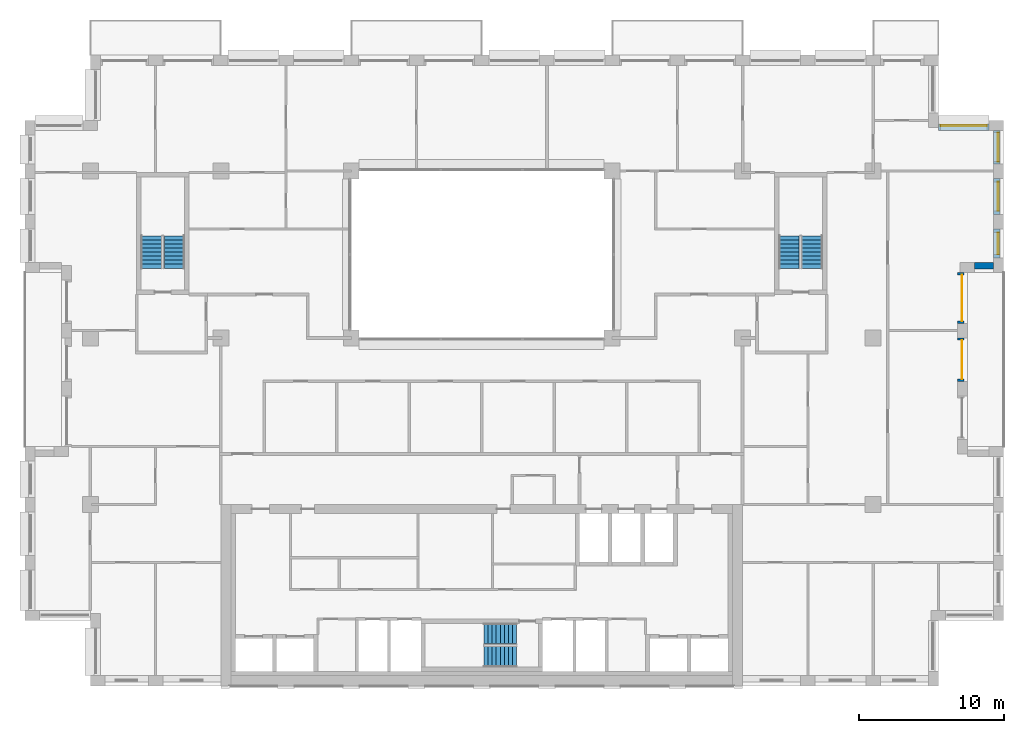
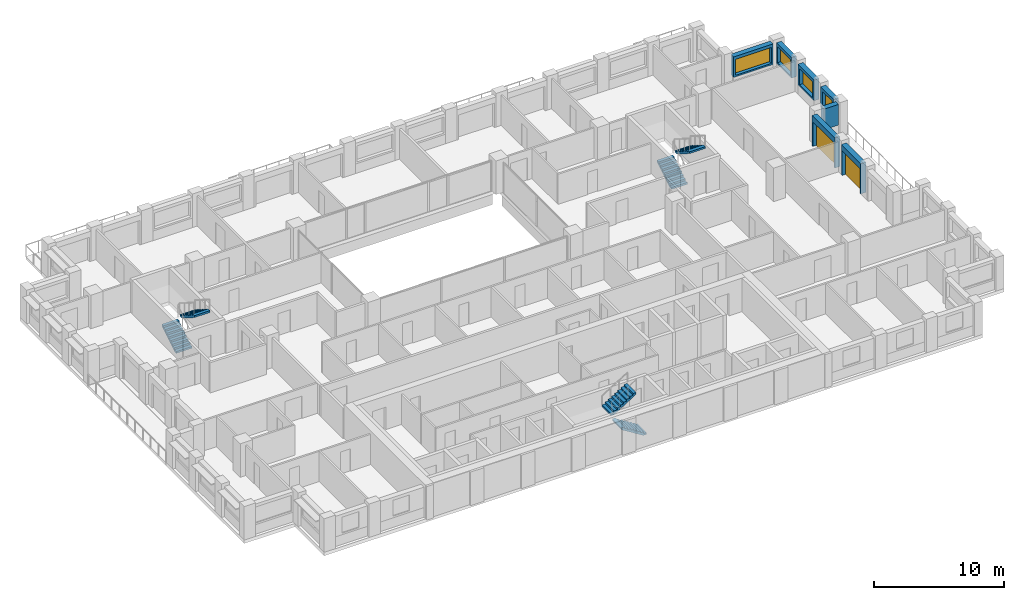
# One storey, part 14 of 15: 7 walls, 6 stair flights, 4 windows, 2 doors, 6 openings, 3 elements without a shape of their own.
"""IFC4 building model written with IfcOpenShell, lengths in metres."""

import ifcopenshell
import ifcopenshell.guid

model = None  # the IFC model being written
_history = None  # IfcOwnerHistory: only IFC2X3 demands one
_inside = {}  # id of a spatial element -> (the spatial element, [elements in it])
_under = {}  # id of a project, library or spatial element -> (it, [spatial elements below it])
_declared = {}  # id of a project -> (the project, [libraries it declares])
_typed = {}  # id of a type object -> (the type object, [elements of that type])
_made_of = {}  # id of a material, layer set ... -> (it, [elements and type objects made of it])


def new_model(schema):
    """Start an empty IFC model of exactly this schema.

    Asked for "IFC4X3", IfcOpenShell would pick the latest addendum, in which some entities
    have other attributes; the version numbers below select the first issue.
    IFC2X3 requires an IfcOwnerHistory on every rooted entity: one is made here for all.
    """
    global model, _history
    if schema == "IFC4X3":
        model = ifcopenshell.file(schema_version=(4, 3, 0, 0))
    else:
        model = ifcopenshell.file(schema=schema)
    _inside.clear()
    _under.clear()
    _declared.clear()
    _typed.clear()
    _made_of.clear()
    _history = None
    if model.schema == "IFC2X3":
        org = make("IfcOrganization", Name="unknown")
        user = make(
            "IfcPersonAndOrganization",
            ThePerson=make("IfcPerson", FamilyName="unknown"),
            TheOrganization=org,
        )
        app = make(
            "IfcApplication",
            ApplicationDeveloper=org,
            Version="unknown",
            ApplicationFullName="unknown",
            ApplicationIdentifier="unknown",
        )
        _history = make(
            "IfcOwnerHistory",
            OwningUser=user,
            OwningApplication=app,
            ChangeAction="ADDED",
            CreationDate=0,
        )
    return model


def make(cls, **values):
    """One entity of the class cls with the attributes given. An attribute that is None is left unset."""
    return model.create_entity(
        cls, **{name: value for name, value in values.items() if value is not None}
    )


def rooted(cls, **values):
    """An entity with a GlobalId (a new one), such as an element, a storey or a relation."""
    return make(cls, GlobalId=ifcopenshell.guid.new(), OwnerHistory=_history, **values)


def si_unit(unit_type, name, prefix=None):
    """IfcSIUnit, for example si_unit("LENGTHUNIT", "METRE", prefix="MILLI")."""
    return make("IfcSIUnit", UnitType=unit_type, Prefix=prefix, Name=name)


def assignment(units):
    """IfcUnitAssignment: the units of a project."""
    return None if units is None else make("IfcUnitAssignment", Units=units)


def point(xyz):
    """IfcCartesianPoint."""
    return None if xyz is None else make("IfcCartesianPoint", Coordinates=xyz)


def direction(xyz):
    """IfcDirection."""
    return None if xyz is None else make("IfcDirection", DirectionRatios=xyz)


def frame(location, z_axis=None, x_axis=None):
    """IfcAxis2Placement3D, a coordinate frame: its origin and axes. An axis left out is left unset."""
    return make(
        "IfcAxis2Placement3D",
        Location=point(location),
        Axis=direction(z_axis),
        RefDirection=direction(x_axis),
    )


def frame_2d(location, x_axis=None):
    """IfcAxis2Placement2D, a coordinate frame in the plane: its origin and x axis."""
    return make(
        "IfcAxis2Placement2D", Location=point(location), RefDirection=direction(x_axis)
    )


def origin():
    """The frame at (0, 0, 0) with its axes left unset."""
    return frame((0.0, 0.0, 0.0))


def place(relative_to, where):
    """IfcLocalPlacement: puts the frame where relative to a parent placement (None: the world)."""
    return make(
        "IfcLocalPlacement", PlacementRelTo=relative_to, RelativePlacement=where
    )


def context(
    kind, dimensions, precision=None, world=None, true_north=None, identifier=None
):
    """IfcGeometricRepresentationContext, for example the 3D "Model" context."""
    return make(
        "IfcGeometricRepresentationContext",
        ContextIdentifier=identifier,
        ContextType=kind,
        CoordinateSpaceDimension=dimensions,
        Precision=precision,
        WorldCoordinateSystem=world,
        TrueNorth=true_north,
    )


def subcontext(parent, identifier, kind, view, scale=None):
    """IfcGeometricRepresentationSubContext, for example "Body" below "Model"."""
    return make(
        "IfcGeometricRepresentationSubContext",
        ContextIdentifier=identifier,
        ContextType=kind,
        ParentContext=parent,
        TargetScale=scale,
        TargetView=view,
    )


def project(units=None, contexts=None):
    """IfcProject with its units and contexts."""
    return rooted(
        "IfcProject",
        Name="project",
        RepresentationContexts=contexts,
        UnitsInContext=assignment(units),
    )


def spatial(cls, under=None, at=None, **own):
    """A site, building, storey or space (cls), placed at a placement, below another one or the project."""
    s = rooted(cls, ObjectPlacement=at, **own)
    if under is not None:
        _under.setdefault(under.id(), (under, []))[1].append(s)
    return s


def polyline(points):
    """IfcPolyline through the points."""
    return make("IfcPolyline", Points=[point(p) for p in points])


def profile(cls, at=None, kind="AREA", **sizes):
    """A parametric profile (cls). Its sizes go by their IFC names, for example OverallWidth=200.0."""
    return make(cls, ProfileType=kind, Position=at, **sizes)


def rectangle(**sizes):
    """IfcRectangleProfileDef."""
    return profile("IfcRectangleProfileDef", **sizes)


def outline(outer, holes=None, kind="AREA"):
    """IfcArbitraryClosedProfileDef: a profile drawn as a closed curve; with holes, ...WithVoids."""
    if holes is None:
        return make("IfcArbitraryClosedProfileDef", ProfileType=kind, OuterCurve=outer)
    return make(
        "IfcArbitraryProfileDefWithVoids",
        ProfileType=kind,
        OuterCurve=outer,
        InnerCurves=holes,
    )


def extrude(swept, where, along, depth):
    """IfcExtrudedAreaSolid: the profile swept, set in the frame where, extruded along a direction by depth."""
    return make(
        "IfcExtrudedAreaSolid",
        SweptArea=swept,
        Position=where,
        ExtrudedDirection=direction(along),
        Depth=depth,
    )


def shape(context_of_items, identifier, shape_type, items):
    """IfcShapeRepresentation: the items that make up one representation, for example the "Body"."""
    return make(
        "IfcShapeRepresentation",
        ContextOfItems=context_of_items,
        RepresentationIdentifier=identifier,
        RepresentationType=shape_type,
        Items=items,
    )


def material(Name=None, Category=None):
    """IfcMaterial."""
    return make("IfcMaterial", Name=Name, Category=Category)


def layer(
    of_material, thickness, ventilated=None, Name=None, Category=None, Priority=None
):
    """IfcMaterialLayer: one layer of a wall or slab, of a material (None: an air gap)."""
    return make(
        "IfcMaterialLayer",
        Material=of_material,
        LayerThickness=thickness,
        IsVentilated=ventilated,
        Name=Name,
        Category=Category,
        Priority=Priority,
    )


def layer_set(layers, Name=None):
    """IfcMaterialLayerSet."""
    return make("IfcMaterialLayerSet", MaterialLayers=layers, LayerSetName=Name)


def made_of(thing, what):
    """Note that an element or type object is made of a material, layer set ...; save() writes the relation."""
    if what is not None:
        _made_of.setdefault(what.id(), (what, []))[1].append(thing)
    return thing


def type_object(cls, material=None, **own):
    """A type object (cls), such as IfcWallType, which elements share."""
    return made_of(rooted(cls, **own), material)


def element(
    cls,
    number,
    at=None,
    inside=None,
    cuts=None,
    type_object=None,
    material=None,
    context=None,
    identifier="Body",
    shape_type=None,
    held_by="IfcProductDefinitionShape",
    body=None,
    shapes=None,
    **own,
):
    """One element of the class cls, such as IfcWall. Its Tag is "e" and its number.

    at: its placement. inside: the storey or other place that contains it. cuts: it is an
    opening in that element (IfcRelVoidsElement). A single representation is given by context,
    identifier, shape_type and body (its items); several are given by shapes. held_by: the class
    of the entity that holds the representations. save() writes the other relations.
    """
    e = rooted(cls, Tag="e%d" % number, ObjectPlacement=at, **own)
    if body is not None:
        shapes = [shape(context, identifier, shape_type, body)]
    if shapes is not None:
        e.Representation = make(held_by, Representations=shapes)
    if inside is not None:
        _inside.setdefault(inside.id(), (inside, []))[1].append(e)
    if cuts is not None:
        rooted(
            "IfcRelVoidsElement", RelatingBuildingElement=cuts, RelatedOpeningElement=e
        )
    if type_object is not None:
        _typed.setdefault(type_object.id(), (type_object, []))[1].append(e)
    return made_of(e, material)


def fill(opening, filler):
    """IfcRelFillsElement: the door or window that sits in an opening."""
    return rooted(
        "IfcRelFillsElement",
        RelatingOpeningElement=opening,
        RelatedBuildingElement=filler,
    )


def aggregate(whole, parts):
    """IfcRelAggregates: a whole, such as a stair, and the parts it consists of."""
    return rooted("IfcRelAggregates", RelatingObject=whole, RelatedObjects=parts)


def save(model, path):
    """Write the relations noted so far, then the file.

    IfcRelAggregates (storeys below a building ...), IfcRelContainedInSpatialStructure (elements
    in a storey), IfcRelDefinesByType, IfcRelAssociatesMaterial and IfcRelDeclares: one each for
    every whole, place, type object, material and project.
    """
    for whole, parts in _under.values():
        aggregate(whole, parts)
    for where, things in _inside.values():
        rooted(
            "IfcRelContainedInSpatialStructure",
            RelatedElements=things,
            RelatingStructure=where,
        )
    for kind, things in _typed.values():
        rooted("IfcRelDefinesByType", RelatedObjects=things, RelatingType=kind)
    for what, things in _made_of.values():
        rooted("IfcRelAssociatesMaterial", RelatedObjects=things, RelatingMaterial=what)
    for by, libraries in _declared.values():
        rooted("IfcRelDeclares", RelatingContext=by, RelatedDefinitions=libraries)
    model.write(path)


model = new_model("IFC4")

# Units and contexts
model_context = context("Model", 3, precision=1e-05, world=origin(), true_north=direction((0.0, 1.0)))
body_context = subcontext(model_context, "Body", "Model", "MODEL_VIEW")
ifc_project = project(units=[si_unit("LENGTHUNIT", "METRE"), si_unit("AREAUNIT", "SQUARE_METRE"), si_unit("VOLUMEUNIT", "CUBIC_METRE"), si_unit("PLANEANGLEUNIT", "RADIAN"), si_unit("MASSUNIT", "GRAM", prefix="KILO")], contexts=[model_context])

# Site, building, storey
site_placement = place(None, origin())
site = spatial("IfcSite", under=ifc_project, at=site_placement, CompositionType="ELEMENT")
building_placement = place(site_placement, origin())
building = spatial("IfcBuilding", under=site, at=building_placement, Name="Brigalow Station Residences", CompositionType="ELEMENT")
storey_placement = place(building_placement, frame((0.0, 0.0, 157.050048828125)))
storey = spatial("IfcBuildingStorey", under=building, at=storey_placement, Name="L45", CompositionType="ELEMENT", Elevation=157.050048828125)

# Wall, opening, door
ifc_material_1 = material(Name="Clay brick masonry", Category="masonry")
ifc_layer = layer(ifc_material_1, 0.449951171875)
ifc_layer_set = layer_set([ifc_layer], Name="BRICK INFILL WALL 450")
wall_type = type_object("IfcWallType", Name="BRICK INFILL WALL 450", PredefinedType="SOLIDWALL", material=ifc_layer_set)
wall_1_placement = place(storey_placement, frame((69.02490234375, 21.0, 0.0), z_axis=(0.0, 0.0, 1.0), x_axis=(0.0, 1.0, 0.0)))
wall_1 = element("IfcWall", 1, at=wall_1_placement, inside=storey, type_object=wall_type, Name="L45/ewall/W-L45-14", PredefinedType="SOLIDWALL", context=body_context, shape_type="SweptSolid", body=[
    extrude(rectangle(XDim=3.0, YDim=0.449951171875, at=frame_2d((1.5, 0.0))), origin(), (0.0, 0.0, 1.0), 2.829833984375),
])
opening_1_placement = place(wall_1_placement, frame((0.14990234375, 0.0, 0.0)))
opening_1 = element("IfcOpeningElement", 2, at=opening_1_placement, cuts=wall_1, Name="Opening D-B2700", PredefinedType="OPENING", context=body_context, shape_type="SweptSolid", body=[
    extrude(rectangle(XDim=2.699951171875, YDim=2.300048828125, at=frame_2d((1.35009765625, 1.14990234375))), frame((0.0, 0.23486328125, 0.0), z_axis=(0.0, -1.0, 0.0), x_axis=(1.0, 0.0, 0.0)), (0.0, 0.0, 1.0), 0.469970703125),
])
ifc_material_2 = material(Name="Anodised aluminium frame with double glazing", Category="aluminium")
door_type_1 = type_object("IfcDoorType", Name="BALCONY SLIDING DOOR 2700x2300", OperationType="SLIDING_TO_LEFT", PredefinedType="DOOR", material=ifc_material_2)
door_1_placement = place(opening_1_placement, origin())
door_1 = element("IfcDoor", 3, at=door_1_placement, inside=storey, type_object=door_type_1, Name="L45/balcony-door/W-L45-14", OperationType="SLIDING_TO_LEFT", OverallHeight=2.300048828125, OverallWidth=2.699951171875, PredefinedType="DOOR", context=body_context, shape_type="SweptSolid", body=[
    extrude(rectangle(XDim=2.699951171875, YDim=2.300048828125, at=frame_2d((1.35009765625, 1.14990234375))), frame((0.0, -0.06982421875, 0.0), z_axis=(0.0, -1.0, 0.0), x_axis=(1.0, 0.0, 0.0)), (0.0, 0.0, 1.0), 0.050048828125),
])
fill(opening_1, door_1)

wall_2_placement = place(storey_placement, frame((69.02490234375, 25.0, 0.0), z_axis=(0.0, 0.0, 1.0), x_axis=(0.0, 1.0, 0.0)))
wall_2 = element("IfcWall", 4, at=wall_2_placement, inside=storey, type_object=wall_type, Name="L45/ewall/W-L45-15", PredefinedType="SOLIDWALL", context=body_context, shape_type="SweptSolid", body=[
    extrude(rectangle(XDim=3.5, YDim=0.449951171875, at=frame_2d((1.75, 0.0))), origin(), (0.0, 0.0, 1.0), 2.829833984375),
])
opening_2_placement = place(wall_2_placement, frame((0.14990234375, 0.0, 0.0)))
opening_2 = element("IfcOpeningElement", 5, at=opening_2_placement, cuts=wall_2, Name="Opening D-B3200", PredefinedType="OPENING", context=body_context, shape_type="SweptSolid", body=[
    extrude(rectangle(XDim=3.199951171875, YDim=2.300048828125, at=frame_2d((1.60009765625, 1.14990234375))), frame((0.0, 0.23486328125, 0.0), z_axis=(0.0, -1.0, 0.0), x_axis=(1.0, 0.0, 0.0)), (0.0, 0.0, 1.0), 0.469970703125),
])
ifc_material_3 = material(Name="Anodised aluminium frame with double glazing", Category="aluminium")
door_type_2 = type_object("IfcDoorType", Name="BALCONY SLIDING DOOR 3200x2300", OperationType="SLIDING_TO_LEFT", PredefinedType="DOOR", material=ifc_material_3)
door_2_placement = place(opening_2_placement, origin())
door_2 = element("IfcDoor", 6, at=door_2_placement, inside=storey, type_object=door_type_2, Name="L45/balcony-door/W-L45-15", OperationType="SLIDING_TO_LEFT", OverallHeight=2.300048828125, OverallWidth=3.199951171875, PredefinedType="DOOR", context=body_context, shape_type="SweptSolid", body=[
    extrude(rectangle(XDim=3.199951171875, YDim=2.300048828125, at=frame_2d((1.60009765625, 1.14990234375))), frame((0.0, -0.06982421875, 0.0), z_axis=(0.0, -1.0, 0.0), x_axis=(1.0, 0.0, 0.0)), (0.0, 0.0, 1.0), 0.050048828125),
])
fill(opening_2, door_2)

# Wall
wall_3_placement = place(storey_placement, frame((70.0, 28.97509765625, 0.89990234375), z_axis=(0.0, 0.0, 1.0), x_axis=(1.0, 0.0, 0.0)))
element("IfcWall", 7, at=wall_3_placement, inside=storey, type_object=wall_type, Name="L45/ewall/W-L45-16", PredefinedType="SOLIDWALL", context=body_context, shape_type="SweptSolid", body=[
    extrude(rectangle(XDim=1.300048828125, YDim=0.449951171875, at=frame_2d((0.64990234375, 0.0))), origin(), (0.0, 0.0, 1.0), 1.929931640625),
])

# Wall, opening, window
wall_4_placement = place(storey_placement, frame((71.52490234375, 29.5, 0.89990234375), z_axis=(0.0, 0.0, 1.0), x_axis=(0.0, 1.0, 0.0)))
wall_4 = element("IfcWall", 8, at=wall_4_placement, inside=storey, type_object=wall_type, Name="L45/ewall/W-L45-17", PredefinedType="SOLIDWALL", context=body_context, shape_type="SweptSolid", body=[
    extrude(rectangle(XDim=2.0, YDim=0.449951171875, at=frame_2d((1.0, 0.0))), origin(), (0.0, 0.0, 1.0), 1.929931640625),
])
opening_3_placement = place(wall_4_placement, frame((0.25, 0.0, 0.14990234375)))
opening_3 = element("IfcOpeningElement", 9, at=opening_3_placement, cuts=wall_4, Name="Opening WT-1", PredefinedType="OPENING", context=body_context, shape_type="SweptSolid", body=[
    extrude(rectangle(XDim=1.5, YDim=1.5, at=frame_2d((0.75, 0.75))), frame((0.0, 0.23486328125, 0.0), z_axis=(0.0, -1.0, 0.0), x_axis=(1.0, 0.0, 0.0)), (0.0, 0.0, 1.0), 0.469970703125),
])
ifc_material_4 = material(Name="Anodised aluminium frame with double glazing", Category="aluminium")
window_type_1 = type_object("IfcWindowType", Name="WINDOW 1500x1500", PartitioningType="SINGLE_PANEL", PredefinedType="WINDOW", material=ifc_material_4)
window_1_placement = place(opening_3_placement, origin())
window_1 = element("IfcWindow", 10, at=window_1_placement, inside=storey, type_object=window_type_1, Name="L45/window/W-L45-17", OverallHeight=1.5, OverallWidth=1.5, PartitioningType="SINGLE_PANEL", PredefinedType="WINDOW", context=body_context, shape_type="SweptSolid", body=[
    extrude(rectangle(XDim=1.5, YDim=1.5, at=frame_2d((0.75, 0.75))), frame((0.0, -0.06494140625, 0.0), z_axis=(0.0, -1.0, 0.0), x_axis=(1.0, 0.0, 0.0)), (0.0, 0.0, 1.0), 0.06005859375),
])
fill(opening_3, window_1)

wall_5_placement = place(storey_placement, frame((71.52490234375, 32.5, 0.89990234375), z_axis=(0.0, 0.0, 1.0), x_axis=(0.0, 1.0, 0.0)))
wall_5 = element("IfcWall", 11, at=wall_5_placement, inside=storey, type_object=wall_type, Name="L45/ewall/W-L45-18", PredefinedType="SOLIDWALL", context=body_context, shape_type="SweptSolid", body=[
    extrude(rectangle(XDim=2.5, YDim=0.449951171875, at=frame_2d((1.25, 0.0))), origin(), (0.0, 0.0, 1.0), 1.929931640625),
])
opening_4_placement = place(wall_5_placement, frame((0.25, 0.0, 0.14990234375)))
opening_4 = element("IfcOpeningElement", 12, at=opening_4_placement, cuts=wall_5, Name="Opening WT-7", PredefinedType="OPENING", context=body_context, shape_type="SweptSolid", body=[
    extrude(rectangle(XDim=2.0, YDim=1.5, at=frame_2d((1.0, 0.75))), frame((0.0, 0.23486328125, 0.0), z_axis=(0.0, -1.0, 0.0), x_axis=(1.0, 0.0, 0.0)), (0.0, 0.0, 1.0), 0.469970703125),
])
ifc_material_5 = material(Name="Anodised aluminium frame with double glazing", Category="aluminium")
window_type_2 = type_object("IfcWindowType", Name="WINDOW 2000x1500", PartitioningType="SINGLE_PANEL", PredefinedType="WINDOW", material=ifc_material_5)
window_2_placement = place(opening_4_placement, origin())
window_2 = element("IfcWindow", 13, at=window_2_placement, inside=storey, type_object=window_type_2, Name="L45/window/W-L45-18", OverallHeight=1.5, OverallWidth=2.0, PartitioningType="SINGLE_PANEL", PredefinedType="WINDOW", context=body_context, shape_type="SweptSolid", body=[
    extrude(rectangle(XDim=2.0, YDim=1.5, at=frame_2d((1.0, 0.75))), frame((0.0, -0.06494140625, 0.0), z_axis=(0.0, -1.0, 0.0), x_axis=(1.0, 0.0, 0.0)), (0.0, 0.0, 1.0), 0.06005859375),
])
fill(opening_4, window_2)

wall_6_placement = place(storey_placement, frame((71.52490234375, 36.0, 0.89990234375), z_axis=(0.0, 0.0, 1.0), x_axis=(0.0, 1.0, 0.0)))
wall_6 = element("IfcWall", 14, at=wall_6_placement, inside=storey, type_object=wall_type, Name="L45/ewall/W-L45-19", PredefinedType="SOLIDWALL", context=body_context, shape_type="SweptSolid", body=[
    extrude(rectangle(XDim=2.300048828125, YDim=0.449951171875, at=frame_2d((1.14990234375, 0.0))), origin(), (0.0, 0.0, 1.0), 1.929931640625),
])
opening_5_placement = place(wall_6_placement, frame((0.14990234375, 0.0, 0.14990234375)))
opening_5 = element("IfcOpeningElement", 15, at=opening_5_placement, cuts=wall_6, Name="Opening WT-7", PredefinedType="OPENING", context=body_context, shape_type="SweptSolid", body=[
    extrude(rectangle(XDim=2.0, YDim=1.5, at=frame_2d((1.0, 0.75))), frame((0.0, 0.23486328125, 0.0), z_axis=(0.0, -1.0, 0.0), x_axis=(1.0, 0.0, 0.0)), (0.0, 0.0, 1.0), 0.469970703125),
])
window_3_placement = place(opening_5_placement, origin())
window_3 = element("IfcWindow", 16, at=window_3_placement, inside=storey, type_object=window_type_2, Name="L45/window/W-L45-19", OverallHeight=1.5, OverallWidth=2.0, PartitioningType="SINGLE_PANEL", PredefinedType="WINDOW", context=body_context, shape_type="SweptSolid", body=[
    extrude(rectangle(XDim=2.0, YDim=1.5, at=frame_2d((1.0, 0.75))), frame((0.0, -0.06494140625, 0.0), z_axis=(0.0, -1.0, 0.0), x_axis=(1.0, 0.0, 0.0)), (0.0, 0.0, 1.0), 0.06005859375),
])
fill(opening_5, window_3)

wall_7_placement = place(storey_placement, frame((71.0, 38.52490234375, 0.89990234375), z_axis=(0.0, 0.0, 1.0), x_axis=(-1.0, 0.0, 0.0)))
wall_7 = element("IfcWall", 17, at=wall_7_placement, inside=storey, type_object=wall_type, Name="L45/ewall/W-L45-20", PredefinedType="SOLIDWALL", context=body_context, shape_type="SweptSolid", body=[
    extrude(rectangle(XDim=3.5, YDim=0.449951171875, at=frame_2d((1.75, 0.0))), origin(), (0.0, 0.0, 1.0), 1.929931640625),
])
opening_6_placement = place(wall_7_placement, frame((0.14990234375, 0.0, 0.14990234375)))
opening_6 = element("IfcOpeningElement", 18, at=opening_6_placement, cuts=wall_7, Name="Opening WT-9", PredefinedType="OPENING", context=body_context, shape_type="SweptSolid", body=[
    extrude(rectangle(XDim=3.199951171875, YDim=1.5, at=frame_2d((1.60009765625, 0.75))), frame((0.0, 0.23486328125, 0.0), z_axis=(0.0, -1.0, 0.0), x_axis=(1.0, 0.0, 0.0)), (0.0, 0.0, 1.0), 0.469970703125),
])
ifc_material_6 = material(Name="Anodised aluminium frame with double glazing", Category="aluminium")
window_type_3 = type_object("IfcWindowType", Name="WINDOW 3200x1500", PartitioningType="SINGLE_PANEL", PredefinedType="WINDOW", material=ifc_material_6)
window_4_placement = place(opening_6_placement, origin())
window_4 = element("IfcWindow", 19, at=window_4_placement, inside=storey, type_object=window_type_3, Name="L45/window/W-L45-20", OverallHeight=1.5, OverallWidth=3.199951171875, PartitioningType="SINGLE_PANEL", PredefinedType="WINDOW", context=body_context, shape_type="SweptSolid", body=[
    extrude(rectangle(XDim=3.199951171875, YDim=1.5, at=frame_2d((1.60009765625, 0.75))), frame((0.0, -0.06494140625, 0.0), z_axis=(0.0, -1.0, 0.0), x_axis=(1.0, 0.0, 0.0)), (0.0, 0.0, 1.0), 0.06005859375),
])
fill(opening_6, window_4)

# Stair, stair flights
ifc_material_7 = material(Name="Concrete C50", Category="concrete")
stair_type = type_object("IfcStairType", Name="EXIT STAIR 1400 2 FLIGHT", PredefinedType="HALF_TURN_STAIR", material=ifc_material_7)
stair_1_placement = place(storey_placement, origin())
stair_1 = element("IfcStair", 20, at=stair_1_placement, inside=storey, type_object=stair_type, Name="EXIT STAIR S2 L45", PredefinedType="HALF_TURN_STAIR")
ifc_material_8 = material(Name="Concrete C50", Category="concrete")
stair_flight_type = type_object("IfcStairFlightType", Name="STAIR FLIGHT 1400", PredefinedType="STRAIGHT", material=ifc_material_8)
stair_flight_1_placement = place(storey_placement, frame((38.39990234375, 2.0, 0.0), z_axis=(0.0, 0.0, 1.0), x_axis=(-1.0, 0.0, 0.0)))
stair_flight_1 = element("IfcStairFlight", 21, at=stair_flight_1_placement, type_object=stair_flight_type, Name="ST-2 flight 1", NumberOfRisers=9, NumberOfTreads=8, PredefinedType="STRAIGHT", RiserHeight=0.175, TreadLength=0.28, context=body_context, shape_type="SweptSolid", body=[
    extrude(outline(polyline([(0.0, 0.0), (0.0, 0.175048828125), (0.280029296875, 0.175048828125), (0.280029296875, 0.35009765625), (0.56005859375, 0.35009765625), (0.56005859375, 0.52490234375), (0.840087890625, 0.52490234375), (0.840087890625, 0.699951171875), (1.1201171875, 0.699951171875), (1.1201171875, 0.875), (1.39990234375, 0.875), (1.39990234375, 1.050048828125), (1.679931640625, 1.050048828125), (1.679931640625, 1.22509765625), (1.9599609375, 1.22509765625), (1.9599609375, 1.39990234375), (2.239990234375, 1.39990234375), (2.239990234375, 1.574951171875), (2.239990234375, 1.22314453125), (0.28271484375, 0.0), (0.0, 0.0)])), frame((0.0, 0.699951171875, 0.0), z_axis=(0.0, -1.0, 0.0), x_axis=(1.0, 0.0, 0.0)), (0.0, 0.0, 1.0), 1.39990234375),
])
stair_flight_2_placement = place(storey_placement, frame((36.159912109375, 3.60009765625, 1.574951171875), z_axis=(0.0, 0.0, 1.0), x_axis=(1.0, 0.0, 0.0)))
stair_flight_2 = element("IfcStairFlight", 22, at=stair_flight_2_placement, type_object=stair_flight_type, Name="ST-2 flight 2", NumberOfRisers=9, NumberOfTreads=8, PredefinedType="STRAIGHT", RiserHeight=0.175, TreadLength=0.28, context=body_context, shape_type="SweptSolid", body=[
    extrude(outline(polyline([(0.0, 0.0), (0.0, 0.175048828125), (0.280029296875, 0.175048828125), (0.280029296875, 0.35009765625), (0.56005859375, 0.35009765625), (0.56005859375, 0.52490234375), (0.840087890625, 0.52490234375), (0.840087890625, 0.699951171875), (1.1201171875, 0.699951171875), (1.1201171875, 0.875), (1.39990234375, 0.875), (1.39990234375, 1.050048828125), (1.679931640625, 1.050048828125), (1.679931640625, 1.22509765625), (1.9599609375, 1.22509765625), (1.9599609375, 1.39990234375), (2.239990234375, 1.39990234375), (2.239990234375, 1.574951171875), (2.239990234375, 1.22314453125), (0.28271484375, 0.0), (0.0, 0.0)])), frame((0.0, 0.699951171875, 0.0), z_axis=(0.0, -1.0, 0.0), x_axis=(1.0, 0.0, 0.0)), (0.0, 0.0, 1.0), 1.39990234375),
])
aggregate(stair_1, [stair_flight_1, stair_flight_2])

stair_2_placement = place(storey_placement, origin())
stair_2 = element("IfcStair", 23, at=stair_2_placement, inside=storey, type_object=stair_type, Name="EXIT STAIR S1 L45", PredefinedType="HALF_TURN_STAIR")
stair_flight_3_placement = place(storey_placement, frame((13.199951171875, 28.800048828125, 0.0), z_axis=(0.0, 0.0, 1.0), x_axis=(0.0, 1.0, 0.0)))
stair_flight_3 = element("IfcStairFlight", 24, at=stair_flight_3_placement, type_object=stair_flight_type, Name="ST-1 flight 1", NumberOfRisers=9, NumberOfTreads=8, PredefinedType="STRAIGHT", RiserHeight=0.175, TreadLength=0.28, context=body_context, shape_type="SweptSolid", body=[
    extrude(outline(polyline([(0.0, 0.0), (0.0, 0.175048828125), (0.280029296875, 0.175048828125), (0.280029296875, 0.35009765625), (0.56005859375, 0.35009765625), (0.56005859375, 0.52490234375), (0.840087890625, 0.52490234375), (0.840087890625, 0.699951171875), (1.1201171875, 0.699951171875), (1.1201171875, 0.875), (1.39990234375, 0.875), (1.39990234375, 1.050048828125), (1.679931640625, 1.050048828125), (1.679931640625, 1.22509765625), (1.9599609375, 1.22509765625), (1.9599609375, 1.39990234375), (2.239990234375, 1.39990234375), (2.239990234375, 1.574951171875), (2.239990234375, 1.22314453125), (0.28271484375, 0.0), (0.0, 0.0)])), frame((0.0, 0.699951171875, 0.0), z_axis=(0.0, -1.0, 0.0), x_axis=(1.0, 0.0, 0.0)), (0.0, 0.0, 1.0), 1.39990234375),
])
stair_flight_4_placement = place(storey_placement, frame((14.800048828125, 31.0400390625, 1.574951171875), z_axis=(0.0, 0.0, 1.0), x_axis=(0.0, -1.0, 0.0)))
stair_flight_4 = element("IfcStairFlight", 25, at=stair_flight_4_placement, type_object=stair_flight_type, Name="ST-1 flight 2", NumberOfRisers=9, NumberOfTreads=8, PredefinedType="STRAIGHT", RiserHeight=0.175, TreadLength=0.28, context=body_context, shape_type="SweptSolid", body=[
    extrude(outline(polyline([(0.0, 0.0), (0.0, 0.175048828125), (0.280029296875, 0.175048828125), (0.280029296875, 0.35009765625), (0.56005859375, 0.35009765625), (0.56005859375, 0.52490234375), (0.840087890625, 0.52490234375), (0.840087890625, 0.699951171875), (1.1201171875, 0.699951171875), (1.1201171875, 0.875), (1.39990234375, 0.875), (1.39990234375, 1.050048828125), (1.679931640625, 1.050048828125), (1.679931640625, 1.22509765625), (1.9599609375, 1.22509765625), (1.9599609375, 1.39990234375), (2.239990234375, 1.39990234375), (2.239990234375, 1.574951171875), (2.239990234375, 1.22314453125), (0.28271484375, 0.0), (0.0, 0.0)])), frame((0.0, 0.699951171875, 0.0), z_axis=(0.0, -1.0, 0.0), x_axis=(1.0, 0.0, 0.0)), (0.0, 0.0, 1.0), 1.39990234375),
])
aggregate(stair_2, [stair_flight_3, stair_flight_4])

stair_3_placement = place(storey_placement, origin())
stair_3 = element("IfcStair", 26, at=stair_3_placement, inside=storey, type_object=stair_type, Name="EXIT STAIR S3 L45", PredefinedType="HALF_TURN_STAIR")
stair_flight_5_placement = place(storey_placement, frame((57.199951171875, 28.800048828125, 0.0), z_axis=(0.0, 0.0, 1.0), x_axis=(0.0, 1.0, 0.0)))
stair_flight_5 = element("IfcStairFlight", 27, at=stair_flight_5_placement, type_object=stair_flight_type, Name="ST-3 flight 1", NumberOfRisers=9, NumberOfTreads=8, PredefinedType="STRAIGHT", RiserHeight=0.175, TreadLength=0.28, context=body_context, shape_type="SweptSolid", body=[
    extrude(outline(polyline([(0.0, 0.0), (0.0, 0.175048828125), (0.280029296875, 0.175048828125), (0.280029296875, 0.35009765625), (0.56005859375, 0.35009765625), (0.56005859375, 0.52490234375), (0.840087890625, 0.52490234375), (0.840087890625, 0.699951171875), (1.1201171875, 0.699951171875), (1.1201171875, 0.875), (1.39990234375, 0.875), (1.39990234375, 1.050048828125), (1.679931640625, 1.050048828125), (1.679931640625, 1.22509765625), (1.9599609375, 1.22509765625), (1.9599609375, 1.39990234375), (2.239990234375, 1.39990234375), (2.239990234375, 1.574951171875), (2.239990234375, 1.22314453125), (0.28271484375, 0.0), (0.0, 0.0)])), frame((0.0, 0.699951171875, 0.0), z_axis=(0.0, -1.0, 0.0), x_axis=(1.0, 0.0, 0.0)), (0.0, 0.0, 1.0), 1.39990234375),
])
stair_flight_6_placement = place(storey_placement, frame((58.800048828125, 31.0400390625, 1.574951171875), z_axis=(0.0, 0.0, 1.0), x_axis=(0.0, -1.0, 0.0)))
stair_flight_6 = element("IfcStairFlight", 28, at=stair_flight_6_placement, type_object=stair_flight_type, Name="ST-3 flight 2", NumberOfRisers=9, NumberOfTreads=8, PredefinedType="STRAIGHT", RiserHeight=0.175, TreadLength=0.28, context=body_context, shape_type="SweptSolid", body=[
    extrude(outline(polyline([(0.0, 0.0), (0.0, 0.175048828125), (0.280029296875, 0.175048828125), (0.280029296875, 0.35009765625), (0.56005859375, 0.35009765625), (0.56005859375, 0.52490234375), (0.840087890625, 0.52490234375), (0.840087890625, 0.699951171875), (1.1201171875, 0.699951171875), (1.1201171875, 0.875), (1.39990234375, 0.875), (1.39990234375, 1.050048828125), (1.679931640625, 1.050048828125), (1.679931640625, 1.22509765625), (1.9599609375, 1.22509765625), (1.9599609375, 1.39990234375), (2.239990234375, 1.39990234375), (2.239990234375, 1.574951171875), (2.239990234375, 1.22314453125), (0.28271484375, 0.0), (0.0, 0.0)])), frame((0.0, 0.699951171875, 0.0), z_axis=(0.0, -1.0, 0.0), x_axis=(1.0, 0.0, 0.0)), (0.0, 0.0, 1.0), 1.39990234375),
])
aggregate(stair_3, [stair_flight_5, stair_flight_6])

save(model, "model.ifc")
